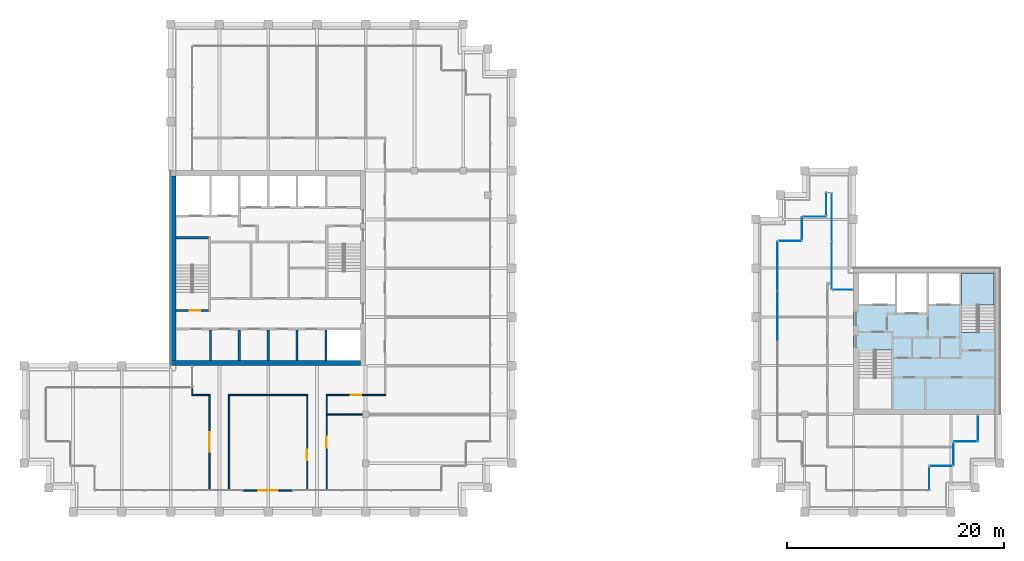
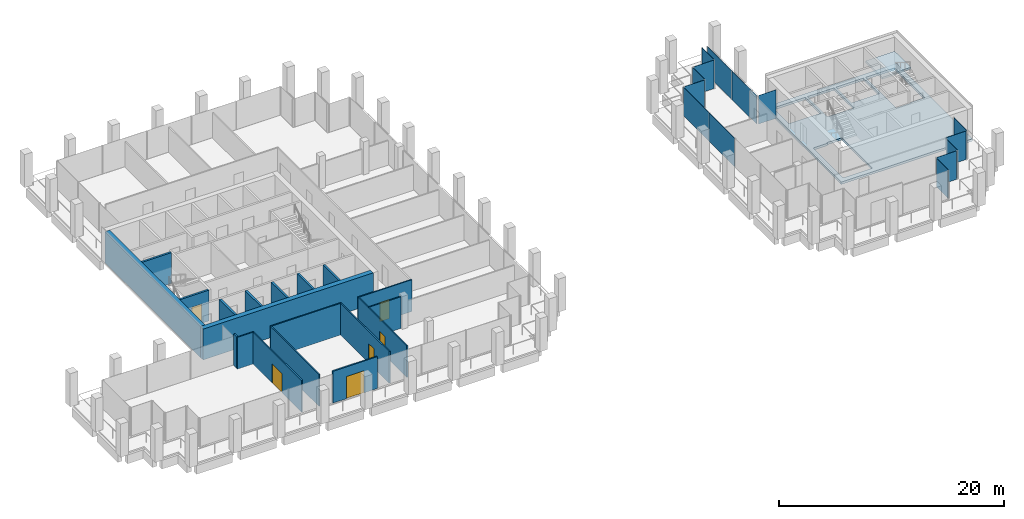
# One storey, part 35 of 41: 19 walls, 14 plates, 6 doors, 2 slabs, 6 openings, 13 elements without a shape of their own.
"""IFC4 building model written with IfcOpenShell, lengths in metres."""

from ifc_helpers import new_model, si_unit, direction, frame, frame_2d, origin, origin_2d, place, context, subcontext, project, spatial, polyline, rectangle, outline, extrude, material, layer, layer_set, type_object, element, fill, aggregate, save


model = new_model("IFC4")

# Units and contexts
model_context = context("Model", 3, precision=1e-05, world=origin(), true_north=direction((0.0, 1.0)))
body_context = subcontext(model_context, "Body", "Model", "MODEL_VIEW")
ifc_project = project(units=[si_unit("LENGTHUNIT", "METRE"), si_unit("AREAUNIT", "SQUARE_METRE"), si_unit("VOLUMEUNIT", "CUBIC_METRE"), si_unit("PLANEANGLEUNIT", "RADIAN"), si_unit("MASSUNIT", "GRAM", prefix="KILO")], contexts=[model_context])

# Site, building, storey
site_placement = place(None, origin())
site = spatial("IfcSite", under=ifc_project, at=site_placement, CompositionType="ELEMENT")
building_placement = place(site_placement, origin())
building = spatial("IfcBuilding", under=site, at=building_placement, Name="Altepetl Exchange Towers", CompositionType="ELEMENT")
storey_placement = place(building_placement, frame((0.0, 0.0, 206.39990234375)))
storey = spatial("IfcBuildingStorey", under=building, at=storey_placement, Name="L52", CompositionType="ELEMENT", Elevation=206.39990234375)

# Slab
ifc_material_1 = material(Name="Concrete C40/50", Category="concrete")
ifc_layer_1 = layer(ifc_material_1, 0.25)
ifc_layer_set_1 = layer_set([ifc_layer_1], Name="Concrete C40/50")
slab_type_1 = type_object("IfcSlabType", Name="Core floor slab 250", PredefinedType="FLOOR", material=ifc_layer_set_1)
slab_1_placement = place(storey_placement, frame((0.0, 0.0, -0.25)))
element("IfcSlab", 1, at=slab_1_placement, inside=storey, type_object=slab_type_1, Name="slab:B:L52:core0", PredefinedType="FLOOR", context=body_context, shape_type="SweptSolid", body=[
    extrude(outline(polyline([(103.5, 36.0), (117.0, 36.0), (117.0, 49.5), (103.5, 49.5), (103.5, 36.0)]), holes=[polyline([(107.0, 36.5), (104.0, 36.5), (104.0, 41.85009765625), (105.449951171875, 41.85009765625), (105.449951171875, 41.948974609375), (107.0, 41.948974609375), (107.0, 36.5)]), polyline([(113.5, 49.0), (116.5, 49.0), (116.5, 43.64990234375), (115.050048828125, 43.64990234375), (115.050048828125, 43.551025390625), (113.5, 43.551025390625), (113.5, 49.0)]), polyline([(107.532958984375, 45.39990234375), (107.532958984375, 49.0), (110.26708984375, 49.0), (110.26708984375, 45.39990234375), (107.532958984375, 45.39990234375)]), polyline([(104.0, 49.0), (107.3330078125, 49.0), (107.3330078125, 46.199951171875), (104.0, 46.199951171875), (104.0, 49.0)]), polyline([(110.467041015625, 49.0), (113.300048828125, 49.0), (113.300048828125, 46.199951171875), (110.467041015625, 46.199951171875), (110.467041015625, 49.0)])]), origin(), (0.0, 0.0, 1.0), 0.25),
])

# Curtain wall, plate
ifc_material_2 = material(Name="Aluminium 6063-T6 glazing", Category="aluminium")
curtain_wall_type = type_object("IfcCurtainWallType", Name="Loggia glazing system", PredefinedType="NOTDEFINED", material=ifc_material_2)
curtain_wall_1_placement = place(storey_placement, origin())
curtain_wall_1 = element("IfcCurtainWall", 2, at=curtain_wall_1_placement, inside=storey, type_object=curtain_wall_type, Name="CW1 run", PredefinedType="NOTDEFINED")
ifc_material_3 = material(Name="Glass 6-16-6 low emissivity", Category="glass")
ifc_layer_2 = layer(ifc_material_3, 0.028076171875)
ifc_layer_set_2 = layer_set([ifc_layer_2], Name="Glass 6-16-6 low emissivity")
plate_type = type_object("IfcPlateType", Name="Glass panel 28 double glazed", PredefinedType="CURTAIN_PANEL", material=ifc_layer_set_2)
plate_1_placement = place(storey_placement, frame((110.5, 30.08740234375, 0.0), z_axis=(0.0, 0.0, 1.0), x_axis=(0.0, 1.0, 0.0)))
plate_1 = element("IfcPlate", 3, at=plate_1_placement, type_object=plate_type, Name="GP1 panel", PredefinedType="CURTAIN_PANEL", context=body_context, shape_type="SweptSolid", body=[
    extrude(rectangle(XDim=2.054931640625, YDim=0.028076171875, at=origin_2d()), origin(), (0.0, 0.0, 1.0), 3.10009765625),
])
aggregate(curtain_wall_1, [plate_1])

curtain_wall_2_placement = place(storey_placement, origin())
curtain_wall_2 = element("IfcCurtainWall", 4, at=curtain_wall_2_placement, inside=storey, type_object=curtain_wall_type, Name="CW1 run", PredefinedType="NOTDEFINED")
plate_2_placement = place(storey_placement, frame((111.58740234375, 31.25, 0.0)))
plate_2 = element("IfcPlate", 5, at=plate_2_placement, type_object=plate_type, Name="GP1 panel", PredefinedType="CURTAIN_PANEL", context=body_context, shape_type="SweptSolid", body=[
    extrude(rectangle(XDim=2.054931640625, YDim=0.028076171875, at=origin_2d()), origin(), (0.0, 0.0, 1.0), 3.10009765625),
])
aggregate(curtain_wall_2, [plate_2])

curtain_wall_3_placement = place(storey_placement, origin())
curtain_wall_3 = element("IfcCurtainWall", 6, at=curtain_wall_3_placement, inside=storey, type_object=curtain_wall_type, Name="CW1 run", PredefinedType="NOTDEFINED")
plate_3_placement = place(storey_placement, frame((112.75, 32.33740234375, 0.0), z_axis=(0.0, 0.0, 1.0), x_axis=(0.0, 1.0, 0.0)))
plate_3 = element("IfcPlate", 7, at=plate_3_placement, type_object=plate_type, Name="GP1 panel", PredefinedType="CURTAIN_PANEL", context=body_context, shape_type="SweptSolid", body=[
    extrude(rectangle(XDim=2.054931640625, YDim=0.028076171875, at=origin_2d()), origin(), (0.0, 0.0, 1.0), 3.10009765625),
])
aggregate(curtain_wall_3, [plate_3])

curtain_wall_4_placement = place(storey_placement, origin())
curtain_wall_4 = element("IfcCurtainWall", 8, at=curtain_wall_4_placement, inside=storey, type_object=curtain_wall_type, Name="CW1 run", PredefinedType="NOTDEFINED")
plate_4_placement = place(storey_placement, frame((113.83740234375, 33.5, 0.0)))
plate_4 = element("IfcPlate", 9, at=plate_4_placement, type_object=plate_type, Name="GP1 panel", PredefinedType="CURTAIN_PANEL", context=body_context, shape_type="SweptSolid", body=[
    extrude(rectangle(XDim=2.054931640625, YDim=0.028076171875, at=origin_2d()), origin(), (0.0, 0.0, 1.0), 3.10009765625),
])
aggregate(curtain_wall_4, [plate_4])

curtain_wall_5_placement = place(storey_placement, origin())
curtain_wall_5 = element("IfcCurtainWall", 10, at=curtain_wall_5_placement, inside=storey, type_object=curtain_wall_type, Name="CW1 run", PredefinedType="NOTDEFINED")
plate_5_placement = place(storey_placement, frame((115.0, 34.71240234375, 0.0), z_axis=(0.0, 0.0, 1.0), x_axis=(0.0, 1.0, 0.0)))
plate_5 = element("IfcPlate", 11, at=plate_5_placement, type_object=plate_type, Name="GP1 panel", PredefinedType="CURTAIN_PANEL", context=body_context, shape_type="SweptSolid", body=[
    extrude(rectangle(XDim=2.304931640625, YDim=0.028076171875, at=origin_2d()), origin(), (0.0, 0.0, 1.0), 3.10009765625),
])
aggregate(curtain_wall_5, [plate_5])

curtain_wall_6_placement = place(storey_placement, origin())
curtain_wall_6 = element("IfcCurtainWall", 12, at=curtain_wall_6_placement, inside=storey, type_object=curtain_wall_type, Name="CW1 run", PredefinedType="NOTDEFINED")
plate_6_placement = place(storey_placement, frame((102.53759765625, 47.5, 0.0), z_axis=(0.0, 0.0, 1.0), x_axis=(-1.0, 0.0, 0.0)))
plate_6 = element("IfcPlate", 13, at=plate_6_placement, type_object=plate_type, Name="GP1 panel", PredefinedType="CURTAIN_PANEL", context=body_context, shape_type="SweptSolid", body=[
    extrude(rectangle(XDim=1.804931640625, YDim=0.028076171875, at=origin_2d()), origin(), (0.0, 0.0, 1.0), 3.10009765625),
])
aggregate(curtain_wall_6, [plate_6])

# Curtain wall, plates
curtain_wall_7_placement = place(storey_placement, origin())
curtain_wall_7 = element("IfcCurtainWall", 14, at=curtain_wall_7_placement, inside=storey, type_object=curtain_wall_type, Name="CW1 run", PredefinedType="NOTDEFINED")
plate_7_placement = place(storey_placement, frame((101.5, 49.746337890625, 0.0), z_axis=(0.0, 0.0, 1.0), x_axis=(0.0, 1.0, 0.0)))
plate_7 = element("IfcPlate", 15, at=plate_7_placement, type_object=plate_type, Name="GP1 panel", PredefinedType="CURTAIN_PANEL", context=body_context, shape_type="SweptSolid", body=[
    extrude(rectangle(XDim=4.37255859375, YDim=0.028076171875, at=origin_2d()), origin(), (0.0, 0.0, 1.0), 3.10009765625),
])
plate_8_placement = place(storey_placement, frame((101.5, 54.1787109375, 0.0), z_axis=(0.0, 0.0, 1.0), x_axis=(0.0, 1.0, 0.0)))
plate_8 = element("IfcPlate", 16, at=plate_8_placement, type_object=plate_type, Name="GP1 panel", PredefinedType="CURTAIN_PANEL", context=body_context, shape_type="SweptSolid", body=[
    extrude(rectangle(XDim=4.37255859375, YDim=0.028076171875, at=origin_2d()), origin(), (0.0, 0.0, 1.0), 3.10009765625),
])
aggregate(curtain_wall_7, [plate_7, plate_8])

# Curtain wall, plate
curtain_wall_8_placement = place(storey_placement, origin())
curtain_wall_8 = element("IfcCurtainWall", 17, at=curtain_wall_8_placement, inside=storey, type_object=curtain_wall_type, Name="CW1 run", PredefinedType="NOTDEFINED")
plate_9_placement = place(storey_placement, frame((101.0, 55.41259765625, 0.0), z_axis=(0.0, 0.0, 1.0), x_axis=(0.0, -1.0, 0.0)))
plate_9 = element("IfcPlate", 18, at=plate_9_placement, type_object=plate_type, Name="GP1 panel", PredefinedType="CURTAIN_PANEL", context=body_context, shape_type="SweptSolid", body=[
    extrude(rectangle(XDim=2.054931640625, YDim=0.028076171875, at=origin_2d()), origin(), (0.0, 0.0, 1.0), 3.10009765625),
])
aggregate(curtain_wall_8, [plate_9])

curtain_wall_9_placement = place(storey_placement, origin())
curtain_wall_9 = element("IfcCurtainWall", 19, at=curtain_wall_9_placement, inside=storey, type_object=curtain_wall_type, Name="CW1 run", PredefinedType="NOTDEFINED")
plate_10_placement = place(storey_placement, frame((99.91259765625, 54.25, 0.0), z_axis=(0.0, 0.0, 1.0), x_axis=(-1.0, 0.0, 0.0)))
plate_10 = element("IfcPlate", 20, at=plate_10_placement, type_object=plate_type, Name="GP1 panel", PredefinedType="CURTAIN_PANEL", context=body_context, shape_type="SweptSolid", body=[
    extrude(rectangle(XDim=2.054931640625, YDim=0.028076171875, at=origin_2d()), origin(), (0.0, 0.0, 1.0), 3.10009765625),
])
aggregate(curtain_wall_9, [plate_10])

curtain_wall_10_placement = place(storey_placement, origin())
curtain_wall_10 = element("IfcCurtainWall", 21, at=curtain_wall_10_placement, inside=storey, type_object=curtain_wall_type, Name="CW1 run", PredefinedType="NOTDEFINED")
plate_11_placement = place(storey_placement, frame((98.75, 53.16259765625, 0.0), z_axis=(0.0, 0.0, 1.0), x_axis=(0.0, -1.0, 0.0)))
plate_11 = element("IfcPlate", 22, at=plate_11_placement, type_object=plate_type, Name="GP1 panel", PredefinedType="CURTAIN_PANEL", context=body_context, shape_type="SweptSolid", body=[
    extrude(rectangle(XDim=2.054931640625, YDim=0.028076171875, at=origin_2d()), origin(), (0.0, 0.0, 1.0), 3.10009765625),
])
aggregate(curtain_wall_10, [plate_11])

curtain_wall_11_placement = place(storey_placement, origin())
curtain_wall_11 = element("IfcCurtainWall", 23, at=curtain_wall_11_placement, inside=storey, type_object=curtain_wall_type, Name="CW1 run", PredefinedType="NOTDEFINED")
plate_12_placement = place(storey_placement, frame((97.66259765625, 52.0, 0.0), z_axis=(0.0, 0.0, 1.0), x_axis=(-1.0, 0.0, 0.0)))
plate_12 = element("IfcPlate", 24, at=plate_12_placement, type_object=plate_type, Name="GP1 panel", PredefinedType="CURTAIN_PANEL", context=body_context, shape_type="SweptSolid", body=[
    extrude(rectangle(XDim=2.054931640625, YDim=0.028076171875, at=origin_2d()), origin(), (0.0, 0.0, 1.0), 3.10009765625),
])
aggregate(curtain_wall_11, [plate_12])

# Curtain wall, plates
curtain_wall_12_placement = place(storey_placement, origin())
curtain_wall_12 = element("IfcCurtainWall", 25, at=curtain_wall_12_placement, inside=storey, type_object=curtain_wall_type, Name="CW1 run", PredefinedType="NOTDEFINED")
plate_13_placement = place(storey_placement, frame((96.5, 49.681884765625, 0.0), z_axis=(0.0, 0.0, 1.0), x_axis=(0.0, -1.0, 0.0)))
plate_13 = element("IfcPlate", 26, at=plate_13_placement, type_object=plate_type, Name="GP1 panel", PredefinedType="CURTAIN_PANEL", context=body_context, shape_type="SweptSolid", body=[
    extrude(rectangle(XDim=4.516357421875, YDim=0.028076171875, at=origin_2d()), origin(), (0.0, 0.0, 1.0), 3.10009765625),
])
plate_14_placement = place(storey_placement, frame((96.5, 45.090576171875, 0.0), z_axis=(0.0, 0.0, 1.0), x_axis=(0.0, -1.0, 0.0)))
plate_14 = element("IfcPlate", 27, at=plate_14_placement, type_object=plate_type, Name="GP1 panel", PredefinedType="CURTAIN_PANEL", context=body_context, shape_type="SweptSolid", body=[
    extrude(rectangle(XDim=4.546142578125, YDim=0.028076171875, at=origin_2d()), origin(), (0.0, 0.0, 1.0), 3.10009765625),
])
aggregate(curtain_wall_12, [plate_13, plate_14])

# Stair, slab
stair_type = type_object("IfcStairType", Name="Exit stair 1450 flights dogleg", PredefinedType="HALF_TURN_STAIR", material=ifc_material_1)
stair_placement = place(storey_placement, origin())
stair = element("IfcStair", 28, at=stair_placement, inside=storey, type_object=stair_type, Name="Exit stair 2", PredefinedType="HALF_TURN_STAIR")
ifc_layer_3 = layer(ifc_material_1, 0.199951171875)
ifc_layer_set_3 = layer_set([ifc_layer_3], Name="Concrete C40/50")
slab_type_2 = type_object("IfcSlabType", Name="Stair landing 200 reinforced concrete", PredefinedType="LANDING", material=ifc_layer_set_3)
slab_2_placement = place(storey_placement, frame((0.0, 0.0, 1.60009765625)))
slab_2 = element("IfcSlab", 29, at=slab_2_placement, type_object=slab_type_2, Name="ST-B2f landing 1", PredefinedType="LANDING", context=body_context, shape_type="SweptSolid", body=[
    extrude(outline(polyline([(114.949951171875, 46.014892578125), (113.5, 46.014892578125), (113.5, 46.114990234375), (113.5, 49.0), (116.5, 49.0), (116.5, 46.114990234375), (116.5, 46.1142578125), (115.050048828125, 46.1142578125), (115.050048828125, 46.114990234375), (114.949951171875, 46.114990234375), (114.949951171875, 46.014892578125)])), origin(), (0.0, 0.0, 1.0), 0.199951171875),
])
aggregate(stair, [slab_2])

# Walls
ifc_material_4 = material(Name="Concrete C70/85", Category="concrete")
ifc_layer_4 = layer(ifc_material_4, 0.5)
ifc_layer_set_4 = layer_set([ifc_layer_4], Name="Concrete C70/85")
wall_type_1 = type_object("IfcWallType", Name="Core wall 500 reinforced concrete", PredefinedType="SHEAR", material=ifc_layer_set_4)
wall_1_placement = place(storey_placement, frame((40.5, 40.75, 0.0)))
element("IfcWall", 30, at=wall_1_placement, inside=storey, type_object=wall_type_1, Name="wall:A:L52:K-coreS", PredefinedType="SHEAR", context=body_context, shape_type="SweptSolid", body=[
    extrude(rectangle(XDim=17.5, YDim=0.5, at=frame_2d((8.75, 0.0))), origin(), (0.0, 0.0, 1.0), 3.35009765625),
])
ifc_layer_5 = layer(ifc_material_4, 0.5)
ifc_layer_set_5 = layer_set([ifc_layer_5], Name="Concrete C70/85")
wall_type_2 = type_object("IfcWallType", Name="Core wall 500 reinforced concrete external", PredefinedType="SHEAR", material=ifc_layer_set_5)
wall_2_placement = place(storey_placement, frame((40.75, 41.0, 0.0), z_axis=(0.0, 0.0, 1.0), x_axis=(0.0, 1.0, 0.0)))
element("IfcWall", 31, at=wall_2_placement, inside=storey, type_object=wall_type_2, Name="wall:A:L52:K-coreW", PredefinedType="SHEAR", context=body_context, shape_type="SweptSolid", body=[
    extrude(rectangle(XDim=17.0, YDim=0.5, at=frame_2d((8.5, 0.0))), origin(), (0.0, 0.0, 1.0), 3.35009765625),
])

# Wall, opening, door
ifc_material_5 = material(Name="Aluminium composite cladding", Category="aluminium")
ifc_layer_6 = layer(ifc_material_5, 0.14990234375)
ifc_layer_set_6 = layer_set([ifc_layer_6], Name="Aluminium composite cladding")
wall_type_3 = type_object("IfcWallType", Name="Infill wall 150 aluminium panel", PredefinedType="SOLIDWALL", material=ifc_layer_set_6)
wall_3_placement = place(storey_placement, frame((47.18212890625, 29.0, 0.0)))
wall_3 = element("IfcWall", 32, at=wall_3_placement, inside=storey, type_object=wall_type_3, Name="Loggia door bay wall", PredefinedType="SOLIDWALL", context=body_context, shape_type="SweptSolid", body=[
    extrude(rectangle(XDim=4.560791015625, YDim=0.14990234375, at=frame_2d((2.2802734375, 0.0))), origin(), (0.0, 0.0, 1.0), 3.4501953125),
])
opening_1_placement = place(wall_3_placement, frame((1.38037109375, 0.0, 0.0)))
opening_1 = element("IfcOpeningElement", 33, at=opening_1_placement, cuts=wall_3, Name="Opening L52.A90", PredefinedType="OPENING", context=body_context, shape_type="SweptSolid", body=[
    extrude(rectangle(XDim=1.800048828125, YDim=2.39990234375, at=frame_2d((0.89990234375, 1.199951171875))), frame((0.0, 0.0849609375, 0.0), z_axis=(0.0, -1.0, 0.0), x_axis=(1.0, 0.0, 0.0)), (0.0, 0.0, 1.0), 0.169921875),
])
ifc_material_6 = material(Name="Aluminium 6063-T6 and glass", Category="aluminium")
door_type_1 = type_object("IfcDoorType", Name="Glazed door pair 1800x2400", OperationType="DOUBLE_DOOR_DOUBLE_SWING", PredefinedType="NOTDEFINED", material=ifc_material_6)
door_1_placement = place(opening_1_placement, frame((1.800048828125, 0.0, 0.0), x_axis=(-1.0, 0.0, 0.0)))
door_1 = element("IfcDoor", 34, at=door_1_placement, inside=storey, type_object=door_type_1, Name="Loggia door", OperationType="DOUBLE_DOOR_DOUBLE_SWING", OverallHeight=2.39990234375, OverallWidth=1.800048828125, PredefinedType="NOTDEFINED", context=body_context, shape_type="SweptSolid", body=[
    extrude(rectangle(XDim=1.800048828125, YDim=2.39990234375, at=frame_2d((0.89990234375, 1.199951171875))), frame((0.0, 0.02490234375, 0.0), z_axis=(0.0, -1.0, 0.0), x_axis=(1.0, 0.0, 0.0)), (0.0, 0.0, 1.0), 0.050048828125),
])
fill(opening_1, door_1)

# Walls
ifc_material_7 = material(Name="Gypsum board on steel studs", Category="steel")
ifc_layer_7 = layer(ifc_material_7, 0.125)
ifc_layer_set_7 = layer_set([ifc_layer_7], Name="Gypsum board on steel studs")
wall_type_4 = type_object("IfcWallType", Name="Partition 125 gypsum board on steel studs", PredefinedType="PARTITIONING", material=ifc_layer_set_7)
wall_4_placement = place(storey_placement, frame((54.89990234375, 36.0, 0.0)))
element("IfcWall", 35, at=wall_4_placement, inside=storey, type_object=wall_type_4, Name="wall:A:L52:P01", PredefinedType="PARTITIONING", context=body_context, shape_type="SweptSolid", body=[
    extrude(rectangle(XDim=3.300048828125, YDim=0.125, at=frame_2d((1.64990234375, 0.0))), origin(), (0.0, 0.0, 1.0), 3.4501953125),
])
wall_5_placement = place(storey_placement, frame((42.4375, 37.800048828125, 0.0)))
element("IfcWall", 36, at=wall_5_placement, inside=storey, type_object=wall_type_4, Name="wall:A:L52:P03", PredefinedType="PARTITIONING", context=body_context, shape_type="SweptSolid", body=[
    extrude(rectangle(XDim=1.72509765625, YDim=0.125, at=frame_2d((0.862548828125, 0.0))), origin(), (0.0, 0.0, 1.0), 3.4501953125),
])
wall_6_placement = place(storey_placement, frame((45.83740234375, 37.800048828125, 0.0)))
element("IfcWall", 37, at=wall_6_placement, inside=storey, type_object=wall_type_4, Name="wall:A:L52:P04", PredefinedType="PARTITIONING", context=body_context, shape_type="SweptSolid", body=[
    extrude(rectangle(XDim=7.3251953125, YDim=0.125, at=frame_2d((3.66259765625, 0.0))), origin(), (0.0, 0.0, 1.0), 3.4501953125),
])

# Wall, opening, door
wall_7_placement = place(storey_placement, frame((54.83740234375, 37.800048828125, 0.0)))
wall_7 = element("IfcWall", 38, at=wall_7_placement, inside=storey, type_object=wall_type_4, Name="wall:A:L52:P05", PredefinedType="PARTITIONING", context=body_context, shape_type="SweptSolid", body=[
    extrude(rectangle(XDim=5.525146484375, YDim=0.125, at=frame_2d((2.7626953125, 0.0))), origin(), (0.0, 0.0, 1.0), 3.4501953125),
])
opening_2_placement = place(wall_7_placement, frame((2.262451171875, 0.0, 0.0)))
opening_2 = element("IfcOpeningElement", 39, at=opening_2_placement, cuts=wall_7, Name="Opening L52.A04", PredefinedType="OPENING", context=body_context, shape_type="SweptSolid", body=[
    extrude(rectangle(XDim=1.0, YDim=2.10009765625, at=frame_2d((0.5, 1.050048828125))), frame((0.0, 0.072509765625, 0.0), z_axis=(0.0, -1.0, 0.0), x_axis=(1.0, 0.0, 0.0)), (0.0, 0.0, 1.0), 0.14501953125),
])
ifc_material_8 = material(Name="Steel and timber fire door", Category="steel")
door_type_2 = type_object("IfcDoorType", Name="Fire door 1000 x 2100 single leaf", OperationType="SINGLE_SWING_LEFT", PredefinedType="DOOR", material=ifc_material_8)
door_2_placement = place(opening_2_placement, origin())
door_2 = element("IfcDoor", 40, at=door_2_placement, inside=storey, type_object=door_type_2, Name="door:A:L52:04", OperationType="SINGLE_SWING_LEFT", OverallHeight=2.10009765625, OverallWidth=1.0, PredefinedType="DOOR", context=body_context, shape_type="SweptSolid", body=[
    extrude(rectangle(XDim=1.0, YDim=2.10009765625, at=frame_2d((0.5, 1.050048828125))), frame((0.0, 0.02490234375, 0.0), z_axis=(0.0, -1.0, 0.0), x_axis=(1.0, 0.0, 0.0)), (0.0, 0.0, 1.0), 0.050048828125),
])
fill(opening_2, door_2)

# Wall
wall_8_placement = place(storey_placement, frame((42.5, 37.862548828125, 0.0), z_axis=(0.0, 0.0, 1.0), x_axis=(0.0, 1.0, 0.0)))
element("IfcWall", 41, at=wall_8_placement, inside=storey, type_object=wall_type_4, Name="wall:A:L52:P14", PredefinedType="PARTITIONING", context=body_context, shape_type="SweptSolid", body=[
    extrude(rectangle(XDim=0.537353515625, YDim=0.125, at=frame_2d((0.2685546875, 0.0))), origin(), (0.0, 0.0, 1.0), 3.4501953125),
])

# Wall, opening, door
wall_9_placement = place(storey_placement, frame((44.10009765625, 29.10009765625, 0.0), z_axis=(0.0, 0.0, 1.0), x_axis=(0.0, 1.0, 0.0)))
wall_9 = element("IfcWall", 42, at=wall_9_placement, inside=storey, type_object=wall_type_4, Name="wall:A:L52:P15", PredefinedType="PARTITIONING", context=body_context, shape_type="SweptSolid", body=[
    extrude(rectangle(XDim=8.637451171875, YDim=0.125, at=frame_2d((4.31884765625, 0.0))), origin(), (0.0, 0.0, 1.0), 3.4501953125),
])
opening_3_placement = place(wall_9_placement, frame((3.449951171875, 0.0, 0.0)))
opening_3 = element("IfcOpeningElement", 43, at=opening_3_placement, cuts=wall_9, Name="Opening L52.A01", PredefinedType="OPENING", context=body_context, shape_type="SweptSolid", body=[
    extrude(rectangle(XDim=1.800048828125, YDim=2.10009765625, at=frame_2d((0.89990234375, 1.050048828125))), frame((0.0, 0.072509765625, 0.0), z_axis=(0.0, -1.0, 0.0), x_axis=(1.0, 0.0, 0.0)), (0.0, 0.0, 1.0), 0.14501953125),
])
door_type_3 = type_object("IfcDoorType", Name="Fire door 1800 x 2100 double leaf", OperationType="DOUBLE_DOOR_SINGLE_SWING", PredefinedType="DOOR", material=ifc_material_8)
door_3_placement = place(opening_3_placement, origin())
door_3 = element("IfcDoor", 44, at=door_3_placement, inside=storey, type_object=door_type_3, Name="door:A:L52:01", OperationType="DOUBLE_DOOR_SINGLE_SWING", OverallHeight=2.10009765625, OverallWidth=1.800048828125, PredefinedType="DOOR", context=body_context, shape_type="SweptSolid", body=[
    extrude(rectangle(XDim=1.800048828125, YDim=2.10009765625, at=frame_2d((0.89990234375, 1.050048828125))), frame((0.0, 0.02490234375, 0.0), z_axis=(0.0, -1.0, 0.0), x_axis=(1.0, 0.0, 0.0)), (0.0, 0.0, 1.0), 0.050048828125),
])
fill(opening_3, door_3)

# Wall
wall_10_placement = place(storey_placement, frame((45.89990234375, 29.10009765625, 0.0), z_axis=(0.0, 0.0, 1.0), x_axis=(0.0, 1.0, 0.0)))
element("IfcWall", 45, at=wall_10_placement, inside=storey, type_object=wall_type_4, Name="wall:A:L52:P16", PredefinedType="PARTITIONING", context=body_context, shape_type="SweptSolid", body=[
    extrude(rectangle(XDim=8.637451171875, YDim=0.125, at=frame_2d((4.31884765625, 0.0))), origin(), (0.0, 0.0, 1.0), 3.4501953125),
])

# Wall, opening, door
wall_11_placement = place(storey_placement, frame((53.10009765625, 29.10009765625, 0.0), z_axis=(0.0, 0.0, 1.0), x_axis=(0.0, 1.0, 0.0)))
wall_11 = element("IfcWall", 46, at=wall_11_placement, inside=storey, type_object=wall_type_4, Name="wall:A:L52:P18", PredefinedType="PARTITIONING", context=body_context, shape_type="SweptSolid", body=[
    extrude(rectangle(XDim=8.637451171875, YDim=0.125, at=frame_2d((4.31884765625, 0.0))), origin(), (0.0, 0.0, 1.0), 3.4501953125),
])
opening_4_placement = place(wall_11_placement, frame((2.659912109375, 0.0, 0.0)))
opening_4 = element("IfcOpeningElement", 47, at=opening_4_placement, cuts=wall_11, Name="Opening L52.A02", PredefinedType="OPENING", context=body_context, shape_type="SweptSolid", body=[
    extrude(rectangle(XDim=1.0, YDim=2.10009765625, at=frame_2d((0.5, 1.050048828125))), frame((0.0, 0.072509765625, 0.0), z_axis=(0.0, -1.0, 0.0), x_axis=(1.0, 0.0, 0.0)), (0.0, 0.0, 1.0), 0.14501953125),
])
door_4_placement = place(opening_4_placement, origin())
door_4 = element("IfcDoor", 48, at=door_4_placement, inside=storey, type_object=door_type_2, Name="door:A:L52:02", OperationType="SINGLE_SWING_RIGHT", OverallHeight=2.10009765625, OverallWidth=1.0, PredefinedType="DOOR", context=body_context, shape_type="SweptSolid", body=[
    extrude(rectangle(XDim=1.0, YDim=2.10009765625, at=frame_2d((0.5, 1.050048828125))), frame((0.0, 0.02490234375, 0.0), z_axis=(0.0, -1.0, 0.0), x_axis=(1.0, 0.0, 0.0)), (0.0, 0.0, 1.0), 0.050048828125),
])
fill(opening_4, door_4)

wall_12_placement = place(storey_placement, frame((54.89990234375, 29.10009765625, 0.0), z_axis=(0.0, 0.0, 1.0), x_axis=(0.0, 1.0, 0.0)))
wall_12 = element("IfcWall", 49, at=wall_12_placement, inside=storey, type_object=wall_type_4, Name="wall:A:L52:P20", PredefinedType="PARTITIONING", context=body_context, shape_type="SweptSolid", body=[
    extrude(rectangle(XDim=8.637451171875, YDim=0.125, at=frame_2d((4.31884765625, 0.0))), origin(), (0.0, 0.0, 1.0), 3.4501953125),
])
opening_5_placement = place(wall_12_placement, frame((3.824951171875, 0.0, 0.0)))
opening_5 = element("IfcOpeningElement", 50, at=opening_5_placement, cuts=wall_12, Name="Opening L52.A03", PredefinedType="OPENING", context=body_context, shape_type="SweptSolid", body=[
    extrude(rectangle(XDim=1.0, YDim=2.10009765625, at=frame_2d((0.5, 1.050048828125))), frame((0.0, 0.072509765625, 0.0), z_axis=(0.0, -1.0, 0.0), x_axis=(1.0, 0.0, 0.0)), (0.0, 0.0, 1.0), 0.14501953125),
])
door_5_placement = place(opening_5_placement, frame((1.0, 0.0, 0.0), x_axis=(-1.0, 0.0, 0.0)))
door_5 = element("IfcDoor", 51, at=door_5_placement, inside=storey, type_object=door_type_2, Name="door:A:L52:03", OperationType="SINGLE_SWING_LEFT", OverallHeight=2.10009765625, OverallWidth=1.0, PredefinedType="DOOR", context=body_context, shape_type="SweptSolid", body=[
    extrude(rectangle(XDim=1.0, YDim=2.10009765625, at=frame_2d((0.5, 1.050048828125))), frame((0.0, 0.02490234375, 0.0), z_axis=(0.0, -1.0, 0.0), x_axis=(1.0, 0.0, 0.0)), (0.0, 0.0, 1.0), 0.050048828125),
])
fill(opening_5, door_5)

# Walls
ifc_layer_8 = layer(ifc_material_1, 0.199951171875)
ifc_layer_set_8 = layer_set([ifc_layer_8], Name="Concrete C40/50")
wall_type_5 = type_object("IfcWallType", Name="Shaft wall 200 reinforced concrete", PredefinedType="SHEAR", material=ifc_layer_set_8)
wall_13_placement = place(storey_placement, frame((54.833251953125, 41.0, 0.0), z_axis=(0.0, 0.0, 1.0), x_axis=(0.0, 1.0, 0.0)))
element("IfcWall", 52, at=wall_13_placement, inside=storey, type_object=wall_type_5, Name="wall:A:L52:K-divS5", PredefinedType="SHEAR", context=body_context, shape_type="SweptSolid", body=[
    extrude(rectangle(XDim=2.800048828125, YDim=0.199951171875, at=frame_2d((1.39990234375, 0.0))), origin(), (0.0, 0.0, 1.0), 3.35009765625),
])
ifc_layer_9 = layer(ifc_material_4, 0.199951171875)
ifc_layer_set_9 = layer_set([ifc_layer_9], Name="Concrete C70/85")
wall_type_6 = type_object("IfcWallType", Name="Shear wall 200 reinforced concrete", PredefinedType="SHEAR", material=ifc_layer_set_9)
for number, where, z_axis, x_axis, name in (
    (53, (44.166748046875, 41.0, 0.0), (0.0, 0.0, 1.0), (0.0, 1.0, 0.0), "wall:A:L52:K-divS1"),
    (54, (46.833251953125, 41.0, 0.0), (0.0, 0.0, 1.0), (0.0, 1.0, 0.0), "wall:A:L52:K-divS2"),
    (55, (49.5, 41.0, 0.0), (0.0, 0.0, 1.0), (0.0, 1.0, 0.0), "wall:A:L52:K-divS3"),
    (56, (52.166748046875, 41.0, 0.0), (0.0, 0.0, 1.0), (0.0, 1.0, 0.0), "wall:A:L52:K-divS4"),
):
    element("IfcWall", number, at=place(storey_placement, frame(where, z_axis=z_axis, x_axis=x_axis)), inside=storey, type_object=wall_type_6, Name=name, PredefinedType="SHEAR", context=body_context, shape_type="SweptSolid", body=[
        extrude(rectangle(XDim=2.800048828125, YDim=0.199951171875, at=frame_2d((1.39990234375, 0.0))), origin(), (0.0, 0.0, 1.0), 3.35009765625),
    ])
ifc_layer_10 = layer(ifc_material_1, 0.199951171875)
ifc_layer_set_10 = layer_set([ifc_layer_10], Name="Concrete C40/50")
wall_type_7 = type_object("IfcWallType", Name="Stair wall 200 reinforced concrete", PredefinedType="SHEAR", material=ifc_layer_set_10)
wall_14_placement = place(storey_placement, frame((41.0, 52.300048828125, 0.0)))
element("IfcWall", 57, at=wall_14_placement, inside=storey, type_object=wall_type_7, Name="wall:A:L52:K-stS1N", PredefinedType="SHEAR", context=body_context, shape_type="SweptSolid", body=[
    extrude(rectangle(XDim=3.0, YDim=0.199951171875, at=frame_2d((1.5, 0.0))), origin(), (0.0, 0.0, 1.0), 3.35009765625),
])

# Wall, opening, door
wall_15_placement = place(storey_placement, frame((41.0, 45.60009765625, 0.0)))
wall_15 = element("IfcWall", 58, at=wall_15_placement, inside=storey, type_object=wall_type_7, Name="wall:A:L52:K-stS1S", PredefinedType="SHEAR", context=body_context, shape_type="SweptSolid", body=[
    extrude(rectangle(XDim=3.0, YDim=0.199951171875, at=frame_2d((1.5, 0.0))), origin(), (0.0, 0.0, 1.0), 3.35009765625),
])
opening_6_placement = place(wall_15_placement, frame((1.25, 0.0, 0.0)))
opening_6 = element("IfcOpeningElement", 59, at=opening_6_placement, cuts=wall_15, Name="Opening L52.A62", PredefinedType="OPENING", context=body_context, shape_type="SweptSolid", body=[
    extrude(rectangle(XDim=1.0, YDim=2.10009765625, at=frame_2d((0.5, 1.050048828125))), frame((0.0, 0.10986328125, 0.0), z_axis=(0.0, -1.0, 0.0), x_axis=(1.0, 0.0, 0.0)), (0.0, 0.0, 1.0), 0.219970703125),
])
door_type_4 = type_object("IfcDoorType", Name="Fire door 1000 x 2100 stair and lobby", OperationType="SINGLE_SWING_LEFT", PredefinedType="DOOR", material=ifc_material_8)
door_6_placement = place(opening_6_placement, origin())
door_6 = element("IfcDoor", 60, at=door_6_placement, inside=storey, type_object=door_type_4, Name="door:A:L52:K-dS1in", OperationType="SINGLE_SWING_RIGHT", OverallHeight=2.10009765625, OverallWidth=1.0, PredefinedType="DOOR", context=body_context, shape_type="SweptSolid", body=[
    extrude(rectangle(XDim=1.0, YDim=2.10009765625, at=frame_2d((0.5, 1.050048828125))), frame((0.0, 0.02490234375, 0.0), z_axis=(0.0, -1.0, 0.0), x_axis=(1.0, 0.0, 0.0)), (0.0, 0.0, 1.0), 0.050048828125),
])
fill(opening_6, door_6)

save(model, "model.ifc")
